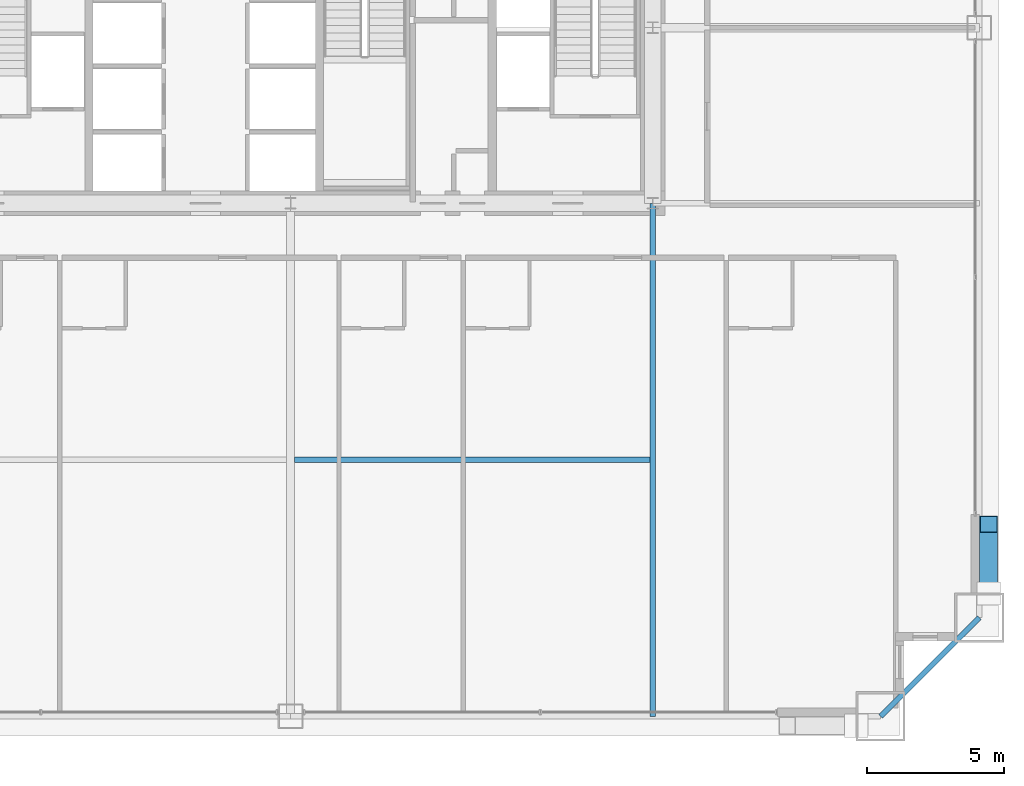
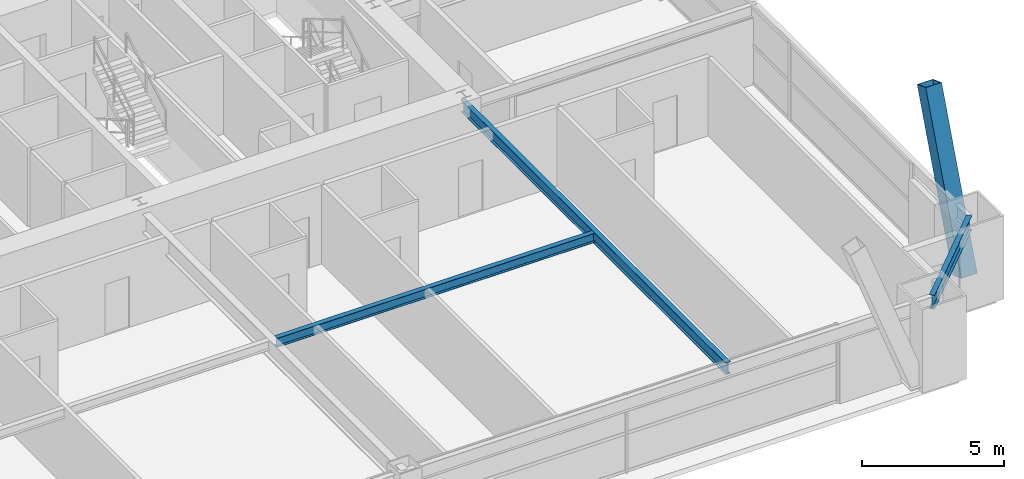
# One storey, part 16 of 43: 3 beams, 1 member.
"""IFC4 building model written with IfcOpenShell, lengths in metres."""

from ifc_helpers import new_model, si_unit, direction, frame, origin, origin_2d, place, context, subcontext, project, spatial, hollow_rectangle, i_section, extrude, source, transform, mapped, material, material_profile, profile_set, type_object, element, save


model = new_model("IFC4")

# Units and contexts
model_context = context("Model", 3, precision=1e-05, world=origin(), true_north=direction((0.0, 1.0)))
body_context = subcontext(model_context, "Body", "Model", "MODEL_VIEW")
ifc_project = project(units=[si_unit("LENGTHUNIT", "METRE"), si_unit("AREAUNIT", "SQUARE_METRE"), si_unit("VOLUMEUNIT", "CUBIC_METRE"), si_unit("PLANEANGLEUNIT", "RADIAN"), si_unit("MASSUNIT", "GRAM", prefix="KILO"), si_unit("THERMODYNAMICTEMPERATUREUNIT", "KELVIN"), si_unit("POWERUNIT", "WATT")], contexts=[model_context])

# Site, building, storey
site_placement = place(None, origin())
site = spatial("IfcSite", under=ifc_project, at=site_placement, CompositionType="ELEMENT")
building_placement = place(site_placement, origin())
building = spatial("IfcBuilding", under=site, at=building_placement, Name="Yuzanri Waterfront Tower", CompositionType="ELEMENT")
storey_placement = place(building_placement, frame((0.0, 0.0, 74.800048828125)))
storey = spatial("IfcBuildingStorey", under=building, at=storey_placement, Name="L19", CompositionType="ELEMENT", Elevation=74.800048828125)

# Beams
ifc_material_1 = material(Name="Steel Q355B", Category="steel")
ifc_material_profile_1 = material_profile(ifc_material_1, i_section(OverallWidth=0.199951171875, OverallDepth=0.60009765625, WebThickness=0.010986328125, FlangeThickness=0.01708984375, at=origin_2d()), Name="HN 600x200x11x17")
ifc_profile_set_1 = profile_set([ifc_material_profile_1], Name="Steel Q355B")
beam_type_1 = type_object("IfcBeamType", Name="Perimeter Spandrel Q355B HN 600x200", PredefinedType="SPANDREL", material=ifc_profile_set_1)
shared_shape_1 = source(origin(), body_context, "Body", "SweptSolid", [
    extrude(i_section(OverallWidth=0.199951171875, OverallDepth=0.60009765625, WebThickness=0.010986328125, FlangeThickness=0.01708984375, at=origin_2d()), origin(), (0.0, 0.0, 1.0), 5.09130859375),
])
beam_1_placement = place(storey_placement, frame((58.5, 0.699951171875, 3.079833984375), z_axis=(0.707106781187, 0.707106781187, 0.0), x_axis=(-0.707106781187, 0.707106781187, 0.0)))
element("IfcBeam", 1, at=beam_1_placement, inside=storey, type_object=beam_type_1, Name="L19 Perimeter Spandrel S3-E1", PredefinedType="SPANDREL", context=body_context, shape_type="MappedRepresentation", body=[
    mapped(shared_shape_1, transform((0.0, 0.0, 0.0), scale=1.0)),
])
ifc_material_2 = material(Name="Steel Q355B", Category="steel")
ifc_material_profile_2 = material_profile(ifc_material_2, i_section(OverallWidth=0.199951171875, OverallDepth=0.5, WebThickness=0.010009765625, FlangeThickness=0.01611328125, at=origin_2d()), Name="HN 500x200x10x16")
ifc_profile_set_2 = profile_set([ifc_material_profile_2], Name="Steel Q355B")
beam_type_2 = type_object("IfcBeamType", Name="Secondary Floor Beam Q355B HN 500x200", PredefinedType="BEAM", material=ifc_profile_set_2)
shared_shape_2 = source(origin(), body_context, "Body", "SweptSolid", [
    extrude(i_section(OverallWidth=0.199951171875, OverallDepth=0.5, WebThickness=0.010009765625, FlangeThickness=0.01611328125, at=origin_2d()), origin(), (0.0, 0.0, 1.0), 18.699951171875),
])
beam_2_placement = place(storey_placement, frame((50.199951171875, 19.39990234375, 3.1298828125), z_axis=(0.0, -1.0, 0.0), x_axis=(1.0, 0.0, 0.0)))
element("IfcBeam", 2, at=beam_2_placement, inside=storey, type_object=beam_type_2, Name="L19 South-East Core Line Beam", PredefinedType="BEAM", context=body_context, shape_type="MappedRepresentation", body=[
    mapped(shared_shape_2, transform((0.0, 0.0, 0.0), scale=1.0)),
])
ifc_material_3 = material(Name="Steel Q355B", Category="steel")
ifc_material_profile_3 = material_profile(ifc_material_3, i_section(OverallWidth=0.199951171875, OverallDepth=0.39990234375, WebThickness=0.008056640625, FlangeThickness=0.012939453125, at=origin_2d()), Name="HN 400x200x8x13")
ifc_profile_set_3 = profile_set([ifc_material_profile_3], Name="Steel Q355B")
beam_type_3 = type_object("IfcBeamType", Name="Floor Joist Q355B HN 400x200", PredefinedType="JOIST", material=ifc_profile_set_3)
shared_shape_3 = source(origin(), body_context, "Body", "SweptSolid", [
    extrude(i_section(OverallWidth=0.199951171875, OverallDepth=0.39990234375, WebThickness=0.008056640625, FlangeThickness=0.012939453125, at=origin_2d()), origin(), (0.0, 0.0, 1.0), 12.9501953125),
])
beam_3_placement = place(storey_placement, frame((37.14990234375, 10.050048828125, 3.179931640625), z_axis=(1.0, 0.0, 0.0), x_axis=(0.0, 1.0, 0.0)))
element("IfcBeam", 3, at=beam_3_placement, inside=storey, type_object=beam_type_3, Name="L19 South Bay Joist E", PredefinedType="JOIST", context=body_context, shape_type="MappedRepresentation", body=[
    mapped(shared_shape_3, transform((0.0, 0.0, 0.0), scale=1.0)),
])

# Member
ifc_material_4 = material(Name="Steel Q420GJC", Category="steel")
ifc_material_profile_4 = material_profile(ifc_material_4, hollow_rectangle(XDim=0.64990234375, YDim=0.64990234375, WallThickness=0.028076171875, at=origin_2d()), Name="RHS 650x650x28")
ifc_profile_set_4 = profile_set([ifc_material_profile_4], Name="Steel Q420GJC")
member_type = type_object("IfcMemberType", Name="Mega Brace Lower Q420GJC RHS 650x650x28", PredefinedType="BRACE", material=ifc_profile_set_4)
shared_shape_4 = source(origin(), body_context, "Body", "SweptSolid", [
    extrude(hollow_rectangle(XDim=0.64990234375, YDim=0.64990234375, WallThickness=0.028076171875, at=origin_2d()), origin(), (0.0, 0.0, 1.0), 7.158203125),
])
member_placement = place(storey_placement, frame((62.43994140625, 5.179931640625, 0.179931640625), z_axis=(0.0, 0.352046480343, 0.935982518896), x_axis=(-1.0, 0.0, 0.0)))
element("IfcMember", 4, at=member_placement, inside=storey, type_object=member_type, Name="L19-L20 Perimeter Mega-Brace E-L", PredefinedType="BRACE", context=body_context, shape_type="MappedRepresentation", body=[
    mapped(shared_shape_4, transform((0.0, 0.0, 0.0), scale=1.0)),
])

save(model, "model.ifc")
